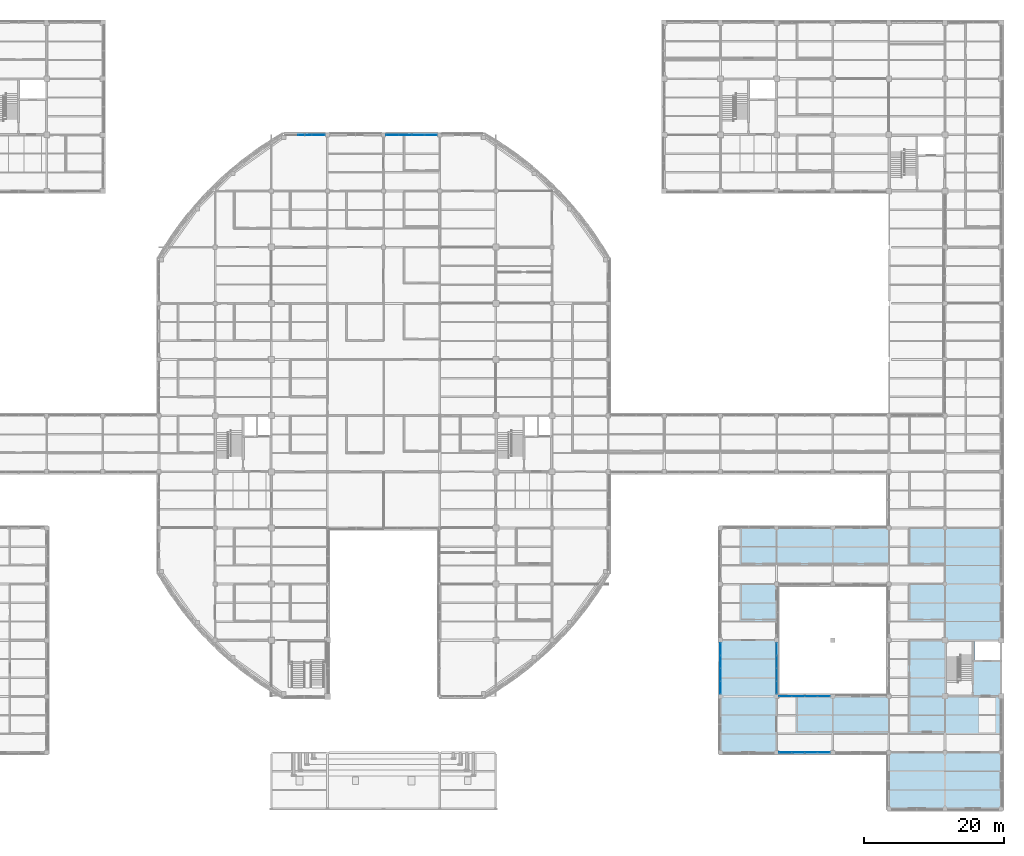
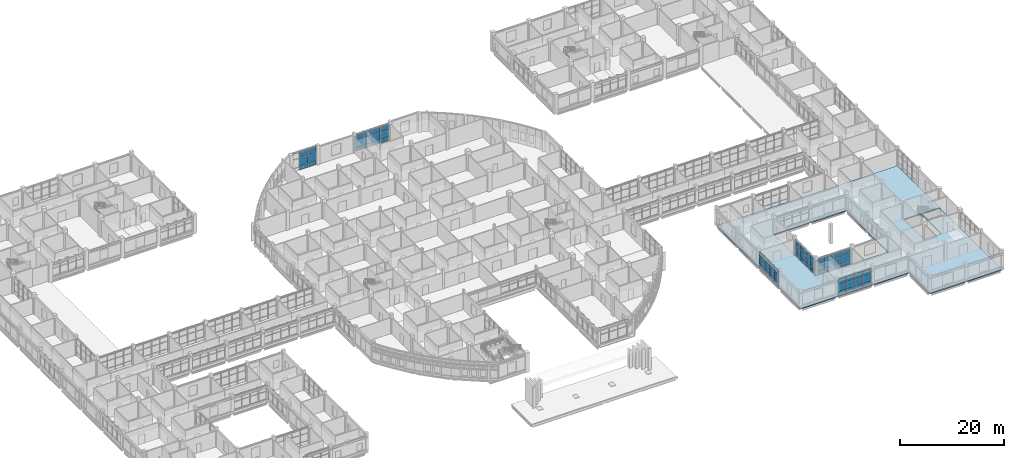
# One storey, part 68 of 121: 66 plates, 1 slab, 6 elements without a shape of their own.
"""IFC4 building model written with IfcOpenShell, lengths in metres."""

from ifc_helpers import new_model, si_unit, derived_unit, direction, frame, origin, origin_2d, place, context, subcontext, project, spatial, polyline, rectangle, outline, extrude, material, layer, layer_set, type_object, element, aggregate, save


model = new_model("IFC4")

# Units and contexts
model_context = context("Model", 3, precision=1e-05, world=origin(), true_north=direction((0.0, 1.0)))
body_context = subcontext(model_context, "Body", "Model", "MODEL_VIEW")
ifc_project = project(units=[si_unit("LENGTHUNIT", "METRE"), si_unit("AREAUNIT", "SQUARE_METRE"), si_unit("VOLUMEUNIT", "CUBIC_METRE"), si_unit("PLANEANGLEUNIT", "RADIAN"), si_unit("MASSUNIT", "GRAM", prefix="KILO"), derived_unit("THERMALTRANSMITTANCEUNIT", [(si_unit("MASSUNIT", "GRAM", prefix="KILO"), 1), (si_unit("TIMEUNIT", "SECOND"), -3), (si_unit("THERMODYNAMICTEMPERATUREUNIT", "KELVIN"), -1)])], contexts=[model_context])

# Site, building, storey
site_placement = place(None, origin())
site = spatial("IfcSite", under=ifc_project, at=site_placement, CompositionType="ELEMENT")
building_placement = place(site_placement, origin())
building = spatial("IfcBuilding", under=site, at=building_placement, Name="Veyamyaing Civic Hall", CompositionType="ELEMENT")
storey_placement = place(building_placement, frame((0.0, 0.0, 5.280029296875)))
storey = spatial("IfcBuildingStorey", under=building, at=storey_placement, Name="L01", CompositionType="ELEMENT", Elevation=5.280029296875)

# Curtain wall, plates
ifc_material_1 = material(Name="Anodised aluminium 6063-T6", Category="aluminium")
ifc_layer_1 = layer(ifc_material_1, 0.159912109375, Name="Anodised aluminium 6063-T6")
ifc_layer_set_1 = layer_set([ifc_layer_1], Name="Anodised aluminium 6063-T6")
curtain_wall_type = type_object("IfcCurtainWallType", Name="CW-02", PredefinedType="NOTDEFINED", material=ifc_layer_set_1)
curtain_wall_1_placement = place(storey_placement, origin())
curtain_wall_1 = element("IfcCurtainWall", 1, at=curtain_wall_1_placement, inside=storey, type_object=curtain_wall_type, Name="Unitized curtain wall CW-02 L01 N 12.12", PredefinedType="NOTDEFINED")
ifc_material_2 = material(Name="Low-E insulated glass", Category="glass")
ifc_layer_2 = layer(ifc_material_2, 0.028076171875, Name="Low-E insulated glass")
ifc_layer_set_2 = layer_set([ifc_layer_2], Name="Low-E insulated glass")
plate_type_1 = type_object("IfcPlateType", Name="CWP-01", PredefinedType="CURTAIN_PANEL", material=ifc_layer_set_2)
plate_1_placement = place(storey_placement, frame((89.263671875, 96.0, 0.06494140625), z_axis=(0.0, 0.0, 1.0), x_axis=(1.0, 0.0, 0.0)))
plate_1 = element("IfcPlate", 2, at=plate_1_placement, type_object=plate_type_1, Name="CW-02 panel 1.1", PredefinedType="CURTAIN_PANEL", context=body_context, shape_type="SweptSolid", body=[
    extrude(rectangle(XDim=1.737548828125, YDim=0.028076171875, at=origin_2d()), origin(), (0.0, 0.0, 1.0), 0.802490234375),
])
plate_2_placement = place(storey_placement, frame((89.263671875, 96.0, 0.9326171875), z_axis=(0.0, 0.0, 1.0), x_axis=(1.0, 0.0, 0.0)))
plate_2 = element("IfcPlate", 3, at=plate_2_placement, type_object=plate_type_1, Name="CW-02 panel 1.2", PredefinedType="CURTAIN_PANEL", context=body_context, shape_type="SweptSolid", body=[
    extrude(rectangle(XDim=1.737548828125, YDim=0.028076171875, at=origin_2d()), origin(), (0.0, 0.0, 1.0), 1.724365234375),
])
plate_3_placement = place(storey_placement, frame((89.263671875, 96.0, 2.7216796875), z_axis=(0.0, 0.0, 1.0), x_axis=(1.0, 0.0, 0.0)))
plate_3 = element("IfcPlate", 4, at=plate_3_placement, type_object=plate_type_1, Name="CW-02 panel 1.3", PredefinedType="CURTAIN_PANEL", context=body_context, shape_type="SweptSolid", body=[
    extrude(rectangle(XDim=1.737548828125, YDim=0.028076171875, at=origin_2d()), origin(), (0.0, 0.0, 1.0), 1.168212890625),
])
plate_4_placement = place(storey_placement, frame((91.08251953125, 96.0, 0.06494140625), z_axis=(0.0, 0.0, 1.0), x_axis=(1.0, 0.0, 0.0)))
plate_4 = element("IfcPlate", 5, at=plate_4_placement, type_object=plate_type_1, Name="CW-02 panel 2.1", PredefinedType="CURTAIN_PANEL", context=body_context, shape_type="SweptSolid", body=[
    extrude(rectangle(XDim=1.77001953125, YDim=0.028076171875, at=origin_2d()), origin(), (0.0, 0.0, 1.0), 0.802490234375),
])
plate_5_placement = place(storey_placement, frame((91.08251953125, 96.0, 0.9326171875), z_axis=(0.0, 0.0, 1.0), x_axis=(1.0, 0.0, 0.0)))
plate_5 = element("IfcPlate", 6, at=plate_5_placement, type_object=plate_type_1, Name="CW-02 panel 2.2", PredefinedType="CURTAIN_PANEL", context=body_context, shape_type="SweptSolid", body=[
    extrude(rectangle(XDim=1.77001953125, YDim=0.028076171875, at=origin_2d()), origin(), (0.0, 0.0, 1.0), 1.724365234375),
])
plate_6_placement = place(storey_placement, frame((91.08251953125, 96.0, 2.7216796875), z_axis=(0.0, 0.0, 1.0), x_axis=(1.0, 0.0, 0.0)))
plate_6 = element("IfcPlate", 7, at=plate_6_placement, type_object=plate_type_1, Name="CW-02 panel 2.3", PredefinedType="CURTAIN_PANEL", context=body_context, shape_type="SweptSolid", body=[
    extrude(rectangle(XDim=1.77001953125, YDim=0.028076171875, at=origin_2d()), origin(), (0.0, 0.0, 1.0), 1.168212890625),
])
plate_7_placement = place(storey_placement, frame((92.91748046875, 96.0, 0.06494140625), z_axis=(0.0, 0.0, 1.0), x_axis=(1.0, 0.0, 0.0)))
plate_7 = element("IfcPlate", 8, at=plate_7_placement, type_object=plate_type_1, Name="CW-02 panel 3.1", PredefinedType="CURTAIN_PANEL", context=body_context, shape_type="SweptSolid", body=[
    extrude(rectangle(XDim=1.77001953125, YDim=0.028076171875, at=origin_2d()), origin(), (0.0, 0.0, 1.0), 0.802490234375),
])
plate_8_placement = place(storey_placement, frame((92.91748046875, 96.0, 0.9326171875), z_axis=(0.0, 0.0, 1.0), x_axis=(1.0, 0.0, 0.0)))
plate_8 = element("IfcPlate", 9, at=plate_8_placement, type_object=plate_type_1, Name="CW-02 panel 3.2", PredefinedType="CURTAIN_PANEL", context=body_context, shape_type="SweptSolid", body=[
    extrude(rectangle(XDim=1.77001953125, YDim=0.028076171875, at=origin_2d()), origin(), (0.0, 0.0, 1.0), 1.724365234375),
])
plate_9_placement = place(storey_placement, frame((92.91748046875, 96.0, 2.7216796875), z_axis=(0.0, 0.0, 1.0), x_axis=(1.0, 0.0, 0.0)))
plate_9 = element("IfcPlate", 10, at=plate_9_placement, type_object=plate_type_1, Name="CW-02 panel 3.3", PredefinedType="CURTAIN_PANEL", context=body_context, shape_type="SweptSolid", body=[
    extrude(rectangle(XDim=1.77001953125, YDim=0.028076171875, at=origin_2d()), origin(), (0.0, 0.0, 1.0), 1.168212890625),
])
plate_10_placement = place(storey_placement, frame((94.736328125, 96.0, 0.06494140625), z_axis=(0.0, 0.0, 1.0), x_axis=(1.0, 0.0, 0.0)))
plate_10 = element("IfcPlate", 11, at=plate_10_placement, type_object=plate_type_1, Name="CW-02 panel 4.1", PredefinedType="CURTAIN_PANEL", context=body_context, shape_type="SweptSolid", body=[
    extrude(rectangle(XDim=1.737548828125, YDim=0.028076171875, at=origin_2d()), origin(), (0.0, 0.0, 1.0), 0.802490234375),
])
plate_11_placement = place(storey_placement, frame((94.736328125, 96.0, 0.9326171875), z_axis=(0.0, 0.0, 1.0), x_axis=(1.0, 0.0, 0.0)))
plate_11 = element("IfcPlate", 12, at=plate_11_placement, type_object=plate_type_1, Name="CW-02 panel 4.2", PredefinedType="CURTAIN_PANEL", context=body_context, shape_type="SweptSolid", body=[
    extrude(rectangle(XDim=1.737548828125, YDim=0.028076171875, at=origin_2d()), origin(), (0.0, 0.0, 1.0), 1.724365234375),
])
plate_12_placement = place(storey_placement, frame((94.736328125, 96.0, 2.7216796875), z_axis=(0.0, 0.0, 1.0), x_axis=(1.0, 0.0, 0.0)))
plate_12 = element("IfcPlate", 13, at=plate_12_placement, type_object=plate_type_1, Name="CW-02 panel 4.3", PredefinedType="CURTAIN_PANEL", context=body_context, shape_type="SweptSolid", body=[
    extrude(rectangle(XDim=1.737548828125, YDim=0.028076171875, at=origin_2d()), origin(), (0.0, 0.0, 1.0), 1.168212890625),
])
aggregate(curtain_wall_1, [plate_1, plate_2, plate_3, plate_4, plate_5, plate_6, plate_7, plate_8, plate_9, plate_10, plate_11, plate_12])

curtain_wall_2_placement = place(storey_placement, origin())
curtain_wall_2 = element("IfcCurtainWall", 14, at=curtain_wall_2_placement, inside=storey, type_object=curtain_wall_type, Name="Unitized curtain wall CW-02 L01 W 18.3", PredefinedType="NOTDEFINED")
ifc_layer_3 = layer(ifc_material_2, 0.02392578125, Name="Low-E insulated glass")
ifc_layer_set_3 = layer_set([ifc_layer_3], Name="Low-E insulated glass")
plate_type_2 = type_object("IfcPlateType", Name="CWP-04", PredefinedType="CURTAIN_PANEL", material=ifc_layer_set_3)
plate_13_placement = place(storey_placement, frame((136.0, 17.263671875, 0.06494140625), z_axis=(0.0, 0.0, 1.0), x_axis=(0.0, 1.0, 0.0)))
plate_13 = element("IfcPlate", 15, at=plate_13_placement, type_object=plate_type_2, Name="CW-02 panel 1.1", PredefinedType="CURTAIN_PANEL", context=body_context, shape_type="SweptSolid", body=[
    extrude(rectangle(XDim=1.737548828125, YDim=0.02392578125, at=origin_2d()), origin(), (0.0, 0.0, 1.0), 0.802490234375),
])
plate_14_placement = place(storey_placement, frame((136.0, 17.263671875, 0.932373046875), z_axis=(0.0, 0.0, 1.0), x_axis=(0.0, 1.0, 0.0)))
plate_14 = element("IfcPlate", 16, at=plate_14_placement, type_object=plate_type_2, Name="CW-02 panel 1.2", PredefinedType="CURTAIN_PANEL", context=body_context, shape_type="SweptSolid", body=[
    extrude(rectangle(XDim=1.737548828125, YDim=0.02392578125, at=origin_2d()), origin(), (0.0, 0.0, 1.0), 1.69384765625),
])
plate_15_placement = place(storey_placement, frame((136.0, 17.263671875, 2.691162109375), z_axis=(0.0, 0.0, 1.0), x_axis=(0.0, 1.0, 0.0)))
plate_15 = element("IfcPlate", 17, at=plate_15_placement, type_object=plate_type_2, Name="CW-02 panel 1.3", PredefinedType="CURTAIN_PANEL", context=body_context, shape_type="SweptSolid", body=[
    extrude(rectangle(XDim=1.737548828125, YDim=0.02392578125, at=origin_2d()), origin(), (0.0, 0.0, 1.0), 1.15380859375),
])
plate_16_placement = place(storey_placement, frame((136.0, 19.08251953125, 0.06494140625), z_axis=(0.0, 0.0, 1.0), x_axis=(0.0, 1.0, 0.0)))
plate_16 = element("IfcPlate", 18, at=plate_16_placement, type_object=plate_type_2, Name="CW-02 panel 2.1", PredefinedType="CURTAIN_PANEL", context=body_context, shape_type="SweptSolid", body=[
    extrude(rectangle(XDim=1.77001953125, YDim=0.02392578125, at=origin_2d()), origin(), (0.0, 0.0, 1.0), 0.802490234375),
])
plate_17_placement = place(storey_placement, frame((136.0, 19.08251953125, 0.932373046875), z_axis=(0.0, 0.0, 1.0), x_axis=(0.0, 1.0, 0.0)))
plate_17 = element("IfcPlate", 19, at=plate_17_placement, type_object=plate_type_2, Name="CW-02 panel 2.2", PredefinedType="CURTAIN_PANEL", context=body_context, shape_type="SweptSolid", body=[
    extrude(rectangle(XDim=1.77001953125, YDim=0.02392578125, at=origin_2d()), origin(), (0.0, 0.0, 1.0), 1.69384765625),
])
plate_18_placement = place(storey_placement, frame((136.0, 19.08251953125, 2.691162109375), z_axis=(0.0, 0.0, 1.0), x_axis=(0.0, 1.0, 0.0)))
plate_18 = element("IfcPlate", 20, at=plate_18_placement, type_object=plate_type_2, Name="CW-02 panel 2.3", PredefinedType="CURTAIN_PANEL", context=body_context, shape_type="SweptSolid", body=[
    extrude(rectangle(XDim=1.77001953125, YDim=0.02392578125, at=origin_2d()), origin(), (0.0, 0.0, 1.0), 1.15380859375),
])
plate_19_placement = place(storey_placement, frame((136.0, 20.91748046875, 0.06494140625), z_axis=(0.0, 0.0, 1.0), x_axis=(0.0, 1.0, 0.0)))
plate_19 = element("IfcPlate", 21, at=plate_19_placement, type_object=plate_type_2, Name="CW-02 panel 3.1", PredefinedType="CURTAIN_PANEL", context=body_context, shape_type="SweptSolid", body=[
    extrude(rectangle(XDim=1.77001953125, YDim=0.02392578125, at=origin_2d()), origin(), (0.0, 0.0, 1.0), 0.802490234375),
])
plate_20_placement = place(storey_placement, frame((136.0, 20.91748046875, 0.932373046875), z_axis=(0.0, 0.0, 1.0), x_axis=(0.0, 1.0, 0.0)))
plate_20 = element("IfcPlate", 22, at=plate_20_placement, type_object=plate_type_2, Name="CW-02 panel 3.2", PredefinedType="CURTAIN_PANEL", context=body_context, shape_type="SweptSolid", body=[
    extrude(rectangle(XDim=1.77001953125, YDim=0.02392578125, at=origin_2d()), origin(), (0.0, 0.0, 1.0), 1.69384765625),
])
plate_21_placement = place(storey_placement, frame((136.0, 20.91748046875, 2.691162109375), z_axis=(0.0, 0.0, 1.0), x_axis=(0.0, 1.0, 0.0)))
plate_21 = element("IfcPlate", 23, at=plate_21_placement, type_object=plate_type_2, Name="CW-02 panel 3.3", PredefinedType="CURTAIN_PANEL", context=body_context, shape_type="SweptSolid", body=[
    extrude(rectangle(XDim=1.77001953125, YDim=0.02392578125, at=origin_2d()), origin(), (0.0, 0.0, 1.0), 1.15380859375),
])
plate_22_placement = place(storey_placement, frame((136.0, 22.736328125, 0.06494140625), z_axis=(0.0, 0.0, 1.0), x_axis=(0.0, 1.0, 0.0)))
plate_22 = element("IfcPlate", 24, at=plate_22_placement, type_object=plate_type_2, Name="CW-02 panel 4.1", PredefinedType="CURTAIN_PANEL", context=body_context, shape_type="SweptSolid", body=[
    extrude(rectangle(XDim=1.737548828125, YDim=0.02392578125, at=origin_2d()), origin(), (0.0, 0.0, 1.0), 0.802490234375),
])
plate_23_placement = place(storey_placement, frame((136.0, 22.736328125, 0.932373046875), z_axis=(0.0, 0.0, 1.0), x_axis=(0.0, 1.0, 0.0)))
plate_23 = element("IfcPlate", 25, at=plate_23_placement, type_object=plate_type_2, Name="CW-02 panel 4.2", PredefinedType="CURTAIN_PANEL", context=body_context, shape_type="SweptSolid", body=[
    extrude(rectangle(XDim=1.737548828125, YDim=0.02392578125, at=origin_2d()), origin(), (0.0, 0.0, 1.0), 1.69384765625),
])
plate_24_placement = place(storey_placement, frame((136.0, 22.736328125, 2.691162109375), z_axis=(0.0, 0.0, 1.0), x_axis=(0.0, 1.0, 0.0)))
plate_24 = element("IfcPlate", 26, at=plate_24_placement, type_object=plate_type_2, Name="CW-02 panel 4.3", PredefinedType="CURTAIN_PANEL", context=body_context, shape_type="SweptSolid", body=[
    extrude(rectangle(XDim=1.737548828125, YDim=0.02392578125, at=origin_2d()), origin(), (0.0, 0.0, 1.0), 1.15380859375),
])
aggregate(curtain_wall_2, [plate_13, plate_14, plate_15, plate_16, plate_17, plate_18, plate_19, plate_20, plate_21, plate_22, plate_23, plate_24])

curtain_wall_3_placement = place(storey_placement, origin())
curtain_wall_3 = element("IfcCurtainWall", 27, at=curtain_wall_3_placement, inside=storey, type_object=curtain_wall_type, Name="Unitized curtain wall CW-02 L01 E 18.3", PredefinedType="NOTDEFINED")
plate_25_placement = place(storey_placement, frame((144.0, 17.263671875, 0.06494140625), z_axis=(0.0, 0.0, 1.0), x_axis=(0.0, 1.0, 0.0)))
plate_25 = element("IfcPlate", 28, at=plate_25_placement, type_object=plate_type_2, Name="CW-02 panel 1.1", PredefinedType="CURTAIN_PANEL", context=body_context, shape_type="SweptSolid", body=[
    extrude(rectangle(XDim=1.737548828125, YDim=0.02392578125, at=origin_2d()), origin(), (0.0, 0.0, 1.0), 0.802490234375),
])
plate_26_placement = place(storey_placement, frame((144.0, 17.263671875, 0.9326171875), z_axis=(0.0, 0.0, 1.0), x_axis=(0.0, 1.0, 0.0)))
plate_26 = element("IfcPlate", 29, at=plate_26_placement, type_object=plate_type_2, Name="CW-02 panel 1.2", PredefinedType="CURTAIN_PANEL", context=body_context, shape_type="SweptSolid", body=[
    extrude(rectangle(XDim=1.737548828125, YDim=0.02392578125, at=origin_2d()), origin(), (0.0, 0.0, 1.0), 1.614990234375),
])
plate_27_placement = place(storey_placement, frame((144.0, 17.263671875, 2.6123046875), z_axis=(0.0, 0.0, 1.0), x_axis=(0.0, 1.0, 0.0)))
plate_27 = element("IfcPlate", 30, at=plate_27_placement, type_object=plate_type_2, Name="CW-02 panel 1.3", PredefinedType="CURTAIN_PANEL", context=body_context, shape_type="SweptSolid", body=[
    extrude(rectangle(XDim=1.737548828125, YDim=0.02392578125, at=origin_2d()), origin(), (0.0, 0.0, 1.0), 1.11669921875),
])
plate_28_placement = place(storey_placement, frame((144.0, 19.08251953125, 0.06494140625), z_axis=(0.0, 0.0, 1.0), x_axis=(0.0, 1.0, 0.0)))
plate_28 = element("IfcPlate", 31, at=plate_28_placement, type_object=plate_type_2, Name="CW-02 panel 2.1", PredefinedType="CURTAIN_PANEL", context=body_context, shape_type="SweptSolid", body=[
    extrude(rectangle(XDim=1.77001953125, YDim=0.02392578125, at=origin_2d()), origin(), (0.0, 0.0, 1.0), 0.802490234375),
])
plate_29_placement = place(storey_placement, frame((144.0, 19.08251953125, 0.9326171875), z_axis=(0.0, 0.0, 1.0), x_axis=(0.0, 1.0, 0.0)))
plate_29 = element("IfcPlate", 32, at=plate_29_placement, type_object=plate_type_2, Name="CW-02 panel 2.2", PredefinedType="CURTAIN_PANEL", context=body_context, shape_type="SweptSolid", body=[
    extrude(rectangle(XDim=1.77001953125, YDim=0.02392578125, at=origin_2d()), origin(), (0.0, 0.0, 1.0), 1.614990234375),
])
plate_30_placement = place(storey_placement, frame((144.0, 19.08251953125, 2.6123046875), z_axis=(0.0, 0.0, 1.0), x_axis=(0.0, 1.0, 0.0)))
plate_30 = element("IfcPlate", 33, at=plate_30_placement, type_object=plate_type_2, Name="CW-02 panel 2.3", PredefinedType="CURTAIN_PANEL", context=body_context, shape_type="SweptSolid", body=[
    extrude(rectangle(XDim=1.77001953125, YDim=0.02392578125, at=origin_2d()), origin(), (0.0, 0.0, 1.0), 1.11669921875),
])
plate_31_placement = place(storey_placement, frame((144.0, 20.91748046875, 0.06494140625), z_axis=(0.0, 0.0, 1.0), x_axis=(0.0, 1.0, 0.0)))
plate_31 = element("IfcPlate", 34, at=plate_31_placement, type_object=plate_type_2, Name="CW-02 panel 3.1", PredefinedType="CURTAIN_PANEL", context=body_context, shape_type="SweptSolid", body=[
    extrude(rectangle(XDim=1.77001953125, YDim=0.02392578125, at=origin_2d()), origin(), (0.0, 0.0, 1.0), 0.802490234375),
])
plate_32_placement = place(storey_placement, frame((144.0, 20.91748046875, 0.9326171875), z_axis=(0.0, 0.0, 1.0), x_axis=(0.0, 1.0, 0.0)))
plate_32 = element("IfcPlate", 35, at=plate_32_placement, type_object=plate_type_2, Name="CW-02 panel 3.2", PredefinedType="CURTAIN_PANEL", context=body_context, shape_type="SweptSolid", body=[
    extrude(rectangle(XDim=1.77001953125, YDim=0.02392578125, at=origin_2d()), origin(), (0.0, 0.0, 1.0), 1.614990234375),
])
plate_33_placement = place(storey_placement, frame((144.0, 20.91748046875, 2.6123046875), z_axis=(0.0, 0.0, 1.0), x_axis=(0.0, 1.0, 0.0)))
plate_33 = element("IfcPlate", 36, at=plate_33_placement, type_object=plate_type_2, Name="CW-02 panel 3.3", PredefinedType="CURTAIN_PANEL", context=body_context, shape_type="SweptSolid", body=[
    extrude(rectangle(XDim=1.77001953125, YDim=0.02392578125, at=origin_2d()), origin(), (0.0, 0.0, 1.0), 1.11669921875),
])
plate_34_placement = place(storey_placement, frame((144.0, 22.736328125, 0.06494140625), z_axis=(0.0, 0.0, 1.0), x_axis=(0.0, 1.0, 0.0)))
plate_34 = element("IfcPlate", 37, at=plate_34_placement, type_object=plate_type_2, Name="CW-02 panel 4.1", PredefinedType="CURTAIN_PANEL", context=body_context, shape_type="SweptSolid", body=[
    extrude(rectangle(XDim=1.737548828125, YDim=0.02392578125, at=origin_2d()), origin(), (0.0, 0.0, 1.0), 0.802490234375),
])
plate_35_placement = place(storey_placement, frame((144.0, 22.736328125, 0.9326171875), z_axis=(0.0, 0.0, 1.0), x_axis=(0.0, 1.0, 0.0)))
plate_35 = element("IfcPlate", 38, at=plate_35_placement, type_object=plate_type_2, Name="CW-02 panel 4.2", PredefinedType="CURTAIN_PANEL", context=body_context, shape_type="SweptSolid", body=[
    extrude(rectangle(XDim=1.737548828125, YDim=0.02392578125, at=origin_2d()), origin(), (0.0, 0.0, 1.0), 1.614990234375),
])
plate_36_placement = place(storey_placement, frame((144.0, 22.736328125, 2.6123046875), z_axis=(0.0, 0.0, 1.0), x_axis=(0.0, 1.0, 0.0)))
plate_36 = element("IfcPlate", 39, at=plate_36_placement, type_object=plate_type_2, Name="CW-02 panel 4.3", PredefinedType="CURTAIN_PANEL", context=body_context, shape_type="SweptSolid", body=[
    extrude(rectangle(XDim=1.737548828125, YDim=0.02392578125, at=origin_2d()), origin(), (0.0, 0.0, 1.0), 1.11669921875),
])
aggregate(curtain_wall_3, [plate_25, plate_26, plate_27, plate_28, plate_29, plate_30, plate_31, plate_32, plate_33, plate_34, plate_35, plate_36])

curtain_wall_4_placement = place(storey_placement, origin())
curtain_wall_4 = element("IfcCurtainWall", 40, at=curtain_wall_4_placement, inside=storey, type_object=curtain_wall_type, Name="Unitized curtain wall CW-02 L01 S 19.2", PredefinedType="NOTDEFINED")
plate_37_placement = place(storey_placement, frame((145.263671875, 8.0, 0.06494140625), z_axis=(0.0, 0.0, 1.0), x_axis=(1.0, 0.0, 0.0)))
plate_37 = element("IfcPlate", 41, at=plate_37_placement, type_object=plate_type_2, Name="CW-02 panel 1.1", PredefinedType="CURTAIN_PANEL", context=body_context, shape_type="SweptSolid", body=[
    extrude(rectangle(XDim=1.737548828125, YDim=0.02392578125, at=origin_2d()), origin(), (0.0, 0.0, 1.0), 0.802490234375),
])
plate_38_placement = place(storey_placement, frame((145.263671875, 8.0, 0.932373046875), z_axis=(0.0, 0.0, 1.0), x_axis=(1.0, 0.0, 0.0)))
plate_38 = element("IfcPlate", 42, at=plate_38_placement, type_object=plate_type_2, Name="CW-02 panel 1.2", PredefinedType="CURTAIN_PANEL", context=body_context, shape_type="SweptSolid", body=[
    extrude(rectangle(XDim=1.737548828125, YDim=0.02392578125, at=origin_2d()), origin(), (0.0, 0.0, 1.0), 1.69384765625),
])
plate_39_placement = place(storey_placement, frame((145.263671875, 8.0, 2.691162109375), z_axis=(0.0, 0.0, 1.0), x_axis=(1.0, 0.0, 0.0)))
plate_39 = element("IfcPlate", 43, at=plate_39_placement, type_object=plate_type_2, Name="CW-02 panel 1.3", PredefinedType="CURTAIN_PANEL", context=body_context, shape_type="SweptSolid", body=[
    extrude(rectangle(XDim=1.737548828125, YDim=0.02392578125, at=origin_2d()), origin(), (0.0, 0.0, 1.0), 1.15380859375),
])
plate_40_placement = place(storey_placement, frame((147.08251953125, 8.0, 0.06494140625), z_axis=(0.0, 0.0, 1.0), x_axis=(1.0, 0.0, 0.0)))
plate_40 = element("IfcPlate", 44, at=plate_40_placement, type_object=plate_type_2, Name="CW-02 panel 2.1", PredefinedType="CURTAIN_PANEL", context=body_context, shape_type="SweptSolid", body=[
    extrude(rectangle(XDim=1.77001953125, YDim=0.02392578125, at=origin_2d()), origin(), (0.0, 0.0, 1.0), 0.802490234375),
])
plate_41_placement = place(storey_placement, frame((147.08251953125, 8.0, 0.932373046875), z_axis=(0.0, 0.0, 1.0), x_axis=(1.0, 0.0, 0.0)))
plate_41 = element("IfcPlate", 45, at=plate_41_placement, type_object=plate_type_2, Name="CW-02 panel 2.2", PredefinedType="CURTAIN_PANEL", context=body_context, shape_type="SweptSolid", body=[
    extrude(rectangle(XDim=1.77001953125, YDim=0.02392578125, at=origin_2d()), origin(), (0.0, 0.0, 1.0), 1.69384765625),
])
plate_42_placement = place(storey_placement, frame((147.08251953125, 8.0, 2.691162109375), z_axis=(0.0, 0.0, 1.0), x_axis=(1.0, 0.0, 0.0)))
plate_42 = element("IfcPlate", 46, at=plate_42_placement, type_object=plate_type_2, Name="CW-02 panel 2.3", PredefinedType="CURTAIN_PANEL", context=body_context, shape_type="SweptSolid", body=[
    extrude(rectangle(XDim=1.77001953125, YDim=0.02392578125, at=origin_2d()), origin(), (0.0, 0.0, 1.0), 1.15380859375),
])
plate_43_placement = place(storey_placement, frame((148.91748046875, 8.0, 0.06494140625), z_axis=(0.0, 0.0, 1.0), x_axis=(1.0, 0.0, 0.0)))
plate_43 = element("IfcPlate", 47, at=plate_43_placement, type_object=plate_type_2, Name="CW-02 panel 3.1", PredefinedType="CURTAIN_PANEL", context=body_context, shape_type="SweptSolid", body=[
    extrude(rectangle(XDim=1.77001953125, YDim=0.02392578125, at=origin_2d()), origin(), (0.0, 0.0, 1.0), 0.802490234375),
])
plate_44_placement = place(storey_placement, frame((148.91748046875, 8.0, 0.932373046875), z_axis=(0.0, 0.0, 1.0), x_axis=(1.0, 0.0, 0.0)))
plate_44 = element("IfcPlate", 48, at=plate_44_placement, type_object=plate_type_2, Name="CW-02 panel 3.2", PredefinedType="CURTAIN_PANEL", context=body_context, shape_type="SweptSolid", body=[
    extrude(rectangle(XDim=1.77001953125, YDim=0.02392578125, at=origin_2d()), origin(), (0.0, 0.0, 1.0), 1.69384765625),
])
plate_45_placement = place(storey_placement, frame((148.91748046875, 8.0, 2.691162109375), z_axis=(0.0, 0.0, 1.0), x_axis=(1.0, 0.0, 0.0)))
plate_45 = element("IfcPlate", 49, at=plate_45_placement, type_object=plate_type_2, Name="CW-02 panel 3.3", PredefinedType="CURTAIN_PANEL", context=body_context, shape_type="SweptSolid", body=[
    extrude(rectangle(XDim=1.77001953125, YDim=0.02392578125, at=origin_2d()), origin(), (0.0, 0.0, 1.0), 1.15380859375),
])
plate_46_placement = place(storey_placement, frame((150.736328125, 8.0, 0.06494140625), z_axis=(0.0, 0.0, 1.0), x_axis=(1.0, 0.0, 0.0)))
plate_46 = element("IfcPlate", 50, at=plate_46_placement, type_object=plate_type_2, Name="CW-02 panel 4.1", PredefinedType="CURTAIN_PANEL", context=body_context, shape_type="SweptSolid", body=[
    extrude(rectangle(XDim=1.737548828125, YDim=0.02392578125, at=origin_2d()), origin(), (0.0, 0.0, 1.0), 0.802490234375),
])
plate_47_placement = place(storey_placement, frame((150.736328125, 8.0, 0.932373046875), z_axis=(0.0, 0.0, 1.0), x_axis=(1.0, 0.0, 0.0)))
plate_47 = element("IfcPlate", 51, at=plate_47_placement, type_object=plate_type_2, Name="CW-02 panel 4.2", PredefinedType="CURTAIN_PANEL", context=body_context, shape_type="SweptSolid", body=[
    extrude(rectangle(XDim=1.737548828125, YDim=0.02392578125, at=origin_2d()), origin(), (0.0, 0.0, 1.0), 1.69384765625),
])
plate_48_placement = place(storey_placement, frame((150.736328125, 8.0, 2.691162109375), z_axis=(0.0, 0.0, 1.0), x_axis=(1.0, 0.0, 0.0)))
plate_48 = element("IfcPlate", 52, at=plate_48_placement, type_object=plate_type_2, Name="CW-02 panel 4.3", PredefinedType="CURTAIN_PANEL", context=body_context, shape_type="SweptSolid", body=[
    extrude(rectangle(XDim=1.737548828125, YDim=0.02392578125, at=origin_2d()), origin(), (0.0, 0.0, 1.0), 1.15380859375),
])
aggregate(curtain_wall_4, [plate_37, plate_38, plate_39, plate_40, plate_41, plate_42, plate_43, plate_44, plate_45, plate_46, plate_47, plate_48])

curtain_wall_5_placement = place(storey_placement, origin())
curtain_wall_5 = element("IfcCurtainWall", 53, at=curtain_wall_5_placement, inside=storey, type_object=curtain_wall_type, Name="Unitized curtain wall CW-02 L01 N 19.2", PredefinedType="NOTDEFINED")
plate_49_placement = place(storey_placement, frame((145.263671875, 16.0, 0.06494140625), z_axis=(0.0, 0.0, 1.0), x_axis=(1.0, 0.0, 0.0)))
plate_49 = element("IfcPlate", 54, at=plate_49_placement, type_object=plate_type_2, Name="CW-02 panel 1.1", PredefinedType="CURTAIN_PANEL", context=body_context, shape_type="SweptSolid", body=[
    extrude(rectangle(XDim=1.737548828125, YDim=0.02392578125, at=origin_2d()), origin(), (0.0, 0.0, 1.0), 0.802490234375),
])
plate_50_placement = place(storey_placement, frame((145.263671875, 16.0, 0.932373046875), z_axis=(0.0, 0.0, 1.0), x_axis=(1.0, 0.0, 0.0)))
plate_50 = element("IfcPlate", 55, at=plate_50_placement, type_object=plate_type_2, Name="CW-02 panel 1.2", PredefinedType="CURTAIN_PANEL", context=body_context, shape_type="SweptSolid", body=[
    extrude(rectangle(XDim=1.737548828125, YDim=0.02392578125, at=origin_2d()), origin(), (0.0, 0.0, 1.0), 1.56396484375),
])
plate_51_placement = place(storey_placement, frame((145.263671875, 16.0, 2.5615234375), z_axis=(0.0, 0.0, 1.0), x_axis=(1.0, 0.0, 0.0)))
plate_51 = element("IfcPlate", 56, at=plate_51_placement, type_object=plate_type_2, Name="CW-02 panel 1.3", PredefinedType="CURTAIN_PANEL", context=body_context, shape_type="SweptSolid", body=[
    extrude(rectangle(XDim=1.737548828125, YDim=0.02392578125, at=origin_2d()), origin(), (0.0, 0.0, 1.0), 1.092529296875),
])
plate_52_placement = place(storey_placement, frame((147.08251953125, 16.0, 0.06494140625), z_axis=(0.0, 0.0, 1.0), x_axis=(1.0, 0.0, 0.0)))
plate_52 = element("IfcPlate", 57, at=plate_52_placement, type_object=plate_type_2, Name="CW-02 panel 2.1", PredefinedType="CURTAIN_PANEL", context=body_context, shape_type="SweptSolid", body=[
    extrude(rectangle(XDim=1.77001953125, YDim=0.02392578125, at=origin_2d()), origin(), (0.0, 0.0, 1.0), 0.802490234375),
])
plate_53_placement = place(storey_placement, frame((147.08251953125, 16.0, 0.932373046875), z_axis=(0.0, 0.0, 1.0), x_axis=(1.0, 0.0, 0.0)))
plate_53 = element("IfcPlate", 58, at=plate_53_placement, type_object=plate_type_2, Name="CW-02 panel 2.2", PredefinedType="CURTAIN_PANEL", context=body_context, shape_type="SweptSolid", body=[
    extrude(rectangle(XDim=1.77001953125, YDim=0.02392578125, at=origin_2d()), origin(), (0.0, 0.0, 1.0), 1.56396484375),
])
plate_54_placement = place(storey_placement, frame((147.08251953125, 16.0, 2.5615234375), z_axis=(0.0, 0.0, 1.0), x_axis=(1.0, 0.0, 0.0)))
plate_54 = element("IfcPlate", 59, at=plate_54_placement, type_object=plate_type_2, Name="CW-02 panel 2.3", PredefinedType="CURTAIN_PANEL", context=body_context, shape_type="SweptSolid", body=[
    extrude(rectangle(XDim=1.77001953125, YDim=0.02392578125, at=origin_2d()), origin(), (0.0, 0.0, 1.0), 1.092529296875),
])
plate_55_placement = place(storey_placement, frame((148.91748046875, 16.0, 0.06494140625), z_axis=(0.0, 0.0, 1.0), x_axis=(1.0, 0.0, 0.0)))
plate_55 = element("IfcPlate", 60, at=plate_55_placement, type_object=plate_type_2, Name="CW-02 panel 3.1", PredefinedType="CURTAIN_PANEL", context=body_context, shape_type="SweptSolid", body=[
    extrude(rectangle(XDim=1.77001953125, YDim=0.02392578125, at=origin_2d()), origin(), (0.0, 0.0, 1.0), 0.802490234375),
])
plate_56_placement = place(storey_placement, frame((148.91748046875, 16.0, 0.932373046875), z_axis=(0.0, 0.0, 1.0), x_axis=(1.0, 0.0, 0.0)))
plate_56 = element("IfcPlate", 61, at=plate_56_placement, type_object=plate_type_2, Name="CW-02 panel 3.2", PredefinedType="CURTAIN_PANEL", context=body_context, shape_type="SweptSolid", body=[
    extrude(rectangle(XDim=1.77001953125, YDim=0.02392578125, at=origin_2d()), origin(), (0.0, 0.0, 1.0), 1.56396484375),
])
plate_57_placement = place(storey_placement, frame((148.91748046875, 16.0, 2.5615234375), z_axis=(0.0, 0.0, 1.0), x_axis=(1.0, 0.0, 0.0)))
plate_57 = element("IfcPlate", 62, at=plate_57_placement, type_object=plate_type_2, Name="CW-02 panel 3.3", PredefinedType="CURTAIN_PANEL", context=body_context, shape_type="SweptSolid", body=[
    extrude(rectangle(XDim=1.77001953125, YDim=0.02392578125, at=origin_2d()), origin(), (0.0, 0.0, 1.0), 1.092529296875),
])
plate_58_placement = place(storey_placement, frame((150.736328125, 16.0, 0.06494140625), z_axis=(0.0, 0.0, 1.0), x_axis=(1.0, 0.0, 0.0)))
plate_58 = element("IfcPlate", 63, at=plate_58_placement, type_object=plate_type_2, Name="CW-02 panel 4.1", PredefinedType="CURTAIN_PANEL", context=body_context, shape_type="SweptSolid", body=[
    extrude(rectangle(XDim=1.737548828125, YDim=0.02392578125, at=origin_2d()), origin(), (0.0, 0.0, 1.0), 0.802490234375),
])
plate_59_placement = place(storey_placement, frame((150.736328125, 16.0, 0.932373046875), z_axis=(0.0, 0.0, 1.0), x_axis=(1.0, 0.0, 0.0)))
plate_59 = element("IfcPlate", 64, at=plate_59_placement, type_object=plate_type_2, Name="CW-02 panel 4.2", PredefinedType="CURTAIN_PANEL", context=body_context, shape_type="SweptSolid", body=[
    extrude(rectangle(XDim=1.737548828125, YDim=0.02392578125, at=origin_2d()), origin(), (0.0, 0.0, 1.0), 1.56396484375),
])
plate_60_placement = place(storey_placement, frame((150.736328125, 16.0, 2.5615234375), z_axis=(0.0, 0.0, 1.0), x_axis=(1.0, 0.0, 0.0)))
plate_60 = element("IfcPlate", 65, at=plate_60_placement, type_object=plate_type_2, Name="CW-02 panel 4.3", PredefinedType="CURTAIN_PANEL", context=body_context, shape_type="SweptSolid", body=[
    extrude(rectangle(XDim=1.737548828125, YDim=0.02392578125, at=origin_2d()), origin(), (0.0, 0.0, 1.0), 1.092529296875),
])
aggregate(curtain_wall_5, [plate_49, plate_50, plate_51, plate_52, plate_53, plate_54, plate_55, plate_56, plate_57, plate_58, plate_59, plate_60])

curtain_wall_6_placement = place(storey_placement, origin())
curtain_wall_6 = element("IfcCurtainWall", 66, at=curtain_wall_6_placement, inside=storey, type_object=curtain_wall_type, Name="Unitized curtain wall CW-02 L01 N 10.12", PredefinedType="NOTDEFINED")
ifc_layer_4 = layer(ifc_material_2, 0.0400390625, Name="Low-E insulated glass")
ifc_layer_set_4 = layer_set([ifc_layer_4], Name="Low-E insulated glass")
plate_type_3 = type_object("IfcPlateType", Name="CWP-05", PredefinedType="CURTAIN_PANEL", material=ifc_layer_set_4)
plate_61_placement = place(storey_placement, frame((76.78466796875, 96.0, 0.06494140625), z_axis=(0.0, 0.0, 1.0), x_axis=(1.0, 0.0, 0.0)))
plate_61 = element("IfcPlate", 67, at=plate_61_placement, type_object=plate_type_3, Name="CW-02 panel 2.1", PredefinedType="CURTAIN_PANEL", context=body_context, shape_type="SweptSolid", body=[
    extrude(rectangle(XDim=1.858642578125, YDim=0.0400390625, at=origin_2d()), origin(), (0.0, 0.0, 1.0), 0.802490234375),
])
plate_62_placement = place(storey_placement, frame((76.78466796875, 96.0, 0.932373046875), z_axis=(0.0, 0.0, 1.0), x_axis=(1.0, 0.0, 0.0)))
plate_62 = element("IfcPlate", 68, at=plate_62_placement, type_object=plate_type_3, Name="CW-02 panel 2.2", PredefinedType="CURTAIN_PANEL", context=body_context, shape_type="SweptSolid", body=[
    extrude(rectangle(XDim=1.858642578125, YDim=0.0400390625, at=origin_2d()), origin(), (0.0, 0.0, 1.0), 1.98291015625),
])
plate_63_placement = place(storey_placement, frame((76.78466796875, 96.0, 2.97998046875), z_axis=(0.0, 0.0, 1.0), x_axis=(1.0, 0.0, 0.0)))
plate_63 = element("IfcPlate", 69, at=plate_63_placement, type_object=plate_type_3, Name="CW-02 panel 2.3", PredefinedType="CURTAIN_PANEL", context=body_context, shape_type="SweptSolid", body=[
    extrude(rectangle(XDim=1.858642578125, YDim=0.0400390625, at=origin_2d()), origin(), (0.0, 0.0, 1.0), 1.289794921875),
])
plate_64_placement = place(storey_placement, frame((78.69189453125, 96.0, 0.06494140625), z_axis=(0.0, 0.0, 1.0), x_axis=(1.0, 0.0, 0.0)))
plate_64 = element("IfcPlate", 70, at=plate_64_placement, type_object=plate_type_3, Name="CW-02 panel 3.1", PredefinedType="CURTAIN_PANEL", context=body_context, shape_type="SweptSolid", body=[
    extrude(rectangle(XDim=1.826171875, YDim=0.0400390625, at=origin_2d()), origin(), (0.0, 0.0, 1.0), 0.802490234375),
])
plate_65_placement = place(storey_placement, frame((78.69189453125, 96.0, 0.932373046875), z_axis=(0.0, 0.0, 1.0), x_axis=(1.0, 0.0, 0.0)))
plate_65 = element("IfcPlate", 71, at=plate_65_placement, type_object=plate_type_3, Name="CW-02 panel 3.2", PredefinedType="CURTAIN_PANEL", context=body_context, shape_type="SweptSolid", body=[
    extrude(rectangle(XDim=1.826171875, YDim=0.0400390625, at=origin_2d()), origin(), (0.0, 0.0, 1.0), 1.98291015625),
])
plate_66_placement = place(storey_placement, frame((78.69189453125, 96.0, 2.97998046875), z_axis=(0.0, 0.0, 1.0), x_axis=(1.0, 0.0, 0.0)))
plate_66 = element("IfcPlate", 72, at=plate_66_placement, type_object=plate_type_3, Name="CW-02 panel 3.3", PredefinedType="CURTAIN_PANEL", context=body_context, shape_type="SweptSolid", body=[
    extrude(rectangle(XDim=1.826171875, YDim=0.0400390625, at=origin_2d()), origin(), (0.0, 0.0, 1.0), 1.289794921875),
])
aggregate(curtain_wall_6, [plate_61, plate_62, plate_63, plate_64, plate_65, plate_66])

# Slab
ifc_material_3 = material(Name="Concrete C40/50", Category="concrete")
ifc_layer_5 = layer(ifc_material_3, 0.2451171875, Name="Concrete C40/50")
ifc_layer_set_5 = layer_set([ifc_layer_5], Name="Concrete C40/50")
slab_type = type_object("IfcSlabType", Name="SL-03", PredefinedType="FLOOR", material=ifc_layer_set_5)
slab_placement = place(storey_placement, frame((0.0, 0.0, -0.2451171875)))
element("IfcSlab", 73, at=slab_placement, inside=storey, type_object=slab_type, Name="Floor slab SL-03 L01 V3.1", PredefinedType="FLOOR", context=body_context, shape_type="SweptSolid", body=[
    extrude(outline(polyline([(160.0, 8.0), (136.0, 8.0), (136.0, 40.0), (176.0, 40.0), (176.0, 0.0), (160.0, 0.0), (160.0, 8.0)]), holes=[polyline([(160.0, 16.0), (160.0, 32.0), (144.0, 32.0), (144.0, 16.0), (160.0, 16.0)]), polyline([(171.909912109375, 23.860107421875), (168.139892578125, 23.860107421875), (168.139892578125, 16.139892578125), (171.909912109375, 16.139892578125), (171.909912109375, 23.860107421875)]), polyline([(175.820068359375, 23.820068359375), (172.179931640625, 23.820068359375), (172.179931640625, 21.179931640625), (175.820068359375, 21.179931640625), (175.820068359375, 23.820068359375)])]), origin(), (0.0, 0.0, 1.0), 0.2451171875),
])

save(model, "model.ifc")
